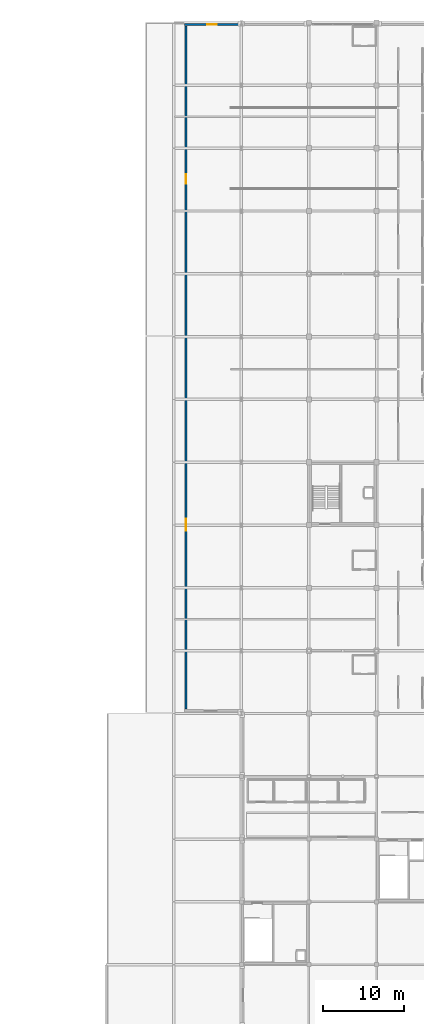
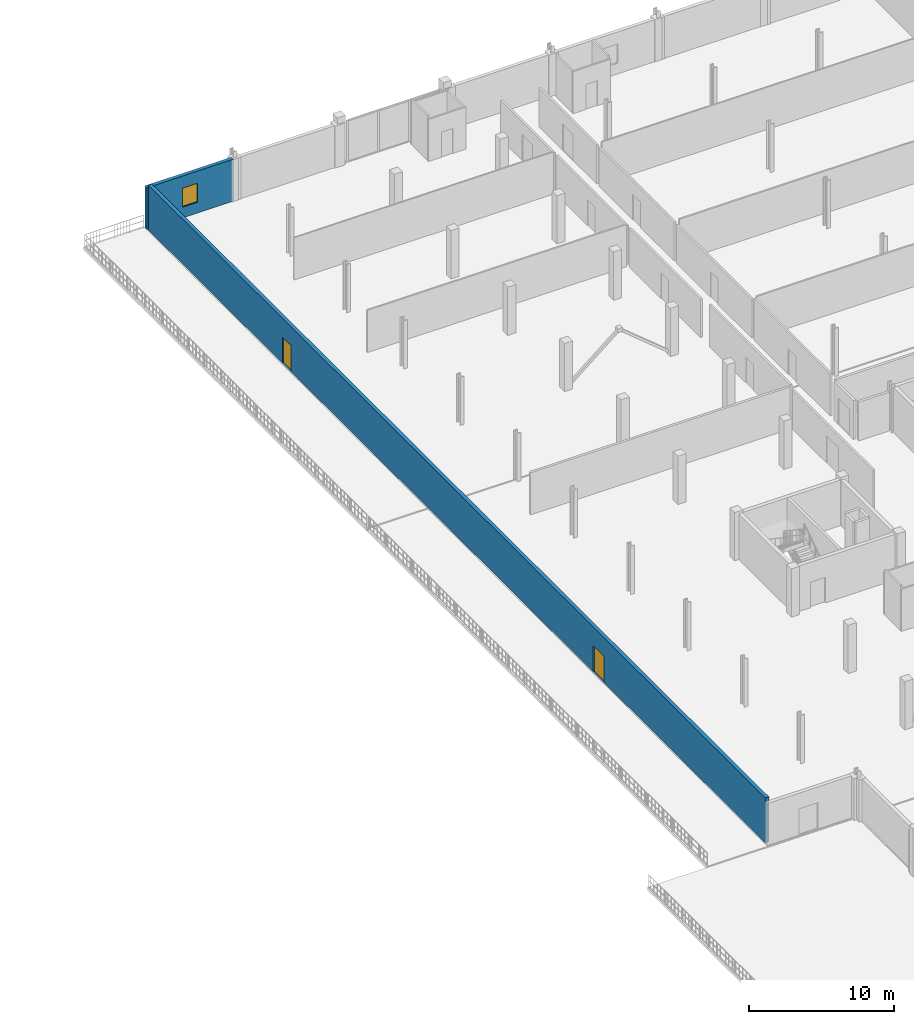
# One storey, part 27 of 41: 2 doors, 2 walls, 1 window, 3 openings.
"""IFC4 building model written with IfcOpenShell, lengths in metres."""

from ifc_helpers import new_model, si_unit, direction, frame, frame_2d, origin, place, context, subcontext, project, spatial, rectangle, extrude, material, layer, layer_set, type_object, element, fill, save


model = new_model("IFC4")

# Units and contexts
model_context = context("Model", 3, precision=1e-05, world=origin(), true_north=direction((0.0, 1.0)))
body_context = subcontext(model_context, "Body", "Model", "MODEL_VIEW")
ifc_project = project(units=[si_unit("LENGTHUNIT", "METRE"), si_unit("AREAUNIT", "SQUARE_METRE"), si_unit("VOLUMEUNIT", "CUBIC_METRE"), si_unit("PLANEANGLEUNIT", "RADIAN"), si_unit("MASSUNIT", "GRAM", prefix="KILO")], contexts=[model_context])

# Site, building, storey
site_placement = place(None, origin())
site = spatial("IfcSite", under=ifc_project, at=site_placement, CompositionType="ELEMENT")
building_placement = place(site_placement, origin())
building = spatial("IfcBuilding", under=site, at=building_placement, Name="Nabrawat Pavilion Hospital", CompositionType="ELEMENT")
storey_placement = place(building_placement, frame((0.0, 0.0, 18.89990234375)))
storey = spatial("IfcBuildingStorey", under=building, at=storey_placement, Name="L04", CompositionType="ELEMENT", Elevation=18.89990234375)

# Wall, openings, doors
ifc_material_1 = material(Name="Precast concrete C40/50", Category="concrete")
ifc_layer = layer(ifc_material_1, 0.280029296875, Name="Precast concrete C40/50")
ifc_layer_set = layer_set([ifc_layer], Name="Precast concrete C40/50")
wall_type = type_object("IfcWallType", Name="Insulated Precast Facade Wall 280", PredefinedType="SOLIDWALL", material=ifc_layer_set)
wall_1_placement = place(storey_placement, frame((135.93994140625, 39.56005859375, 0.0), z_axis=(0.0, 0.0, 1.0), x_axis=(0.0, 1.0, 0.0)))
wall_1 = element("IfcWall", 1, at=wall_1_placement, inside=storey, type_object=wall_type, Name="L04 Insulated Precast Facade Wall 280 351", PredefinedType="SOLIDWALL", context=body_context, shape_type="SweptSolid", body=[
    extrude(rectangle(XDim=84.800048828125, YDim=0.280029296875, at=frame_2d((42.39990234375, 0.0))), origin(), (0.0, 0.0, 1.0), 3.77001953125),
])
opening_1_placement = place(wall_1_placement, frame((22.14990234375, 0.0, 0.0)))
opening_1 = element("IfcOpeningElement", 2, at=opening_1_placement, cuts=wall_1, Name="Opening ED-TER-150", PredefinedType="OPENING", context=body_context, shape_type="SweptSolid", body=[
    extrude(rectangle(XDim=1.5, YDim=2.199951171875, at=frame_2d((0.75, 1.10009765625))), frame((0.0, 0.14990234375, 0.0), z_axis=(0.0, -1.0, 0.0), x_axis=(1.0, 0.0, 0.0)), (0.0, 0.0, 1.0), 0.300048828125),
])
opening_2_placement = place(wall_1_placement, frame((65.199951171875, 0.0, 0.0)))
opening_2 = element("IfcOpeningElement", 3, at=opening_2_placement, cuts=wall_1, Name="Opening ED-TER-120", PredefinedType="OPENING", context=body_context, shape_type="SweptSolid", body=[
    extrude(rectangle(XDim=1.199951171875, YDim=2.199951171875, at=frame_2d((0.60009765625, 1.10009765625))), frame((0.0, 0.14990234375, 0.0), z_axis=(0.0, -1.0, 0.0), x_axis=(1.0, 0.0, 0.0)), (0.0, 0.0, 1.0), 0.300048828125),
])
ifc_material_2 = material(Name="Powder-Coated Galvanised Steel and Safety Glass", Category="steel")
door_type_1 = type_object("IfcDoorType", Name="Clinical Recovery Terrace Double Door 1500x2200", OperationType="NOTDEFINED", PredefinedType="DOOR", material=ifc_material_2)
door_1_placement = place(opening_1_placement, origin())
door_1 = element("IfcDoor", 4, at=door_1_placement, inside=storey, type_object=door_type_1, Name="L04 Clinical Recovery Terrace Door T_L04_WARD_STEP2_S", OperationType="DOUBLE_DOOR_SINGLE_SWING", OverallHeight=2.199951171875, OverallWidth=1.5, PredefinedType="DOOR", context=body_context, shape_type="SweptSolid", body=[
    extrude(rectangle(XDim=1.5, YDim=2.199951171875, at=frame_2d((0.75, 1.10009765625))), frame((0.0, 0.02490234375, 0.0), z_axis=(0.0, -1.0, 0.0), x_axis=(1.0, 0.0, 0.0)), (0.0, 0.0, 1.0), 0.050048828125),
])
fill(opening_1, door_1)
door_type_2 = type_object("IfcDoorType", Name="Ward Balcony Single Glazed Door 1200x2200", OperationType="NOTDEFINED", PredefinedType="DOOR", material=ifc_material_2)
door_2_placement = place(opening_2_placement, origin())
door_2 = element("IfcDoor", 5, at=door_2_placement, inside=storey, type_object=door_type_2, Name="L04 Clinical Recovery Terrace Door T_L04_WARD_STEP2_N", OperationType="SINGLE_SWING_LEFT", OverallHeight=2.199951171875, OverallWidth=1.199951171875, PredefinedType="DOOR", context=body_context, shape_type="SweptSolid", body=[
    extrude(rectangle(XDim=1.199951171875, YDim=2.199951171875, at=frame_2d((0.60009765625, 1.10009765625))), frame((0.0, 0.02490234375, 0.0), z_axis=(0.0, -1.0, 0.0), x_axis=(1.0, 0.0, 0.0)), (0.0, 0.0, 1.0), 0.050048828125),
])
fill(opening_2, door_2)

# Wall, opening, window
wall_2_placement = place(storey_placement, frame((135.719970703125, 124.580078125, 0.0), z_axis=(0.0, 0.0, 1.0), x_axis=(1.0, 0.0, 0.0)))
wall_2 = element("IfcWall", 6, at=wall_2_placement, inside=storey, type_object=wall_type, Name="L04 Insulated Precast Facade Wall 280 353", PredefinedType="SOLIDWALL", context=body_context, shape_type="SweptSolid", body=[
    extrude(rectangle(XDim=6.880126953125, YDim=0.280029296875, at=frame_2d((3.43994140625, 0.0))), origin(), (0.0, 0.0, 1.0), 3.52001953125),
])
opening_3_placement = place(wall_2_placement, frame((2.840087890625, 0.0, 0.89990234375)))
opening_3 = element("IfcOpeningElement", 7, at=opening_3_placement, cuts=wall_2, Name="Opening WN-01", PredefinedType="OPENING", context=body_context, shape_type="SweptSolid", body=[
    extrude(rectangle(XDim=1.199951171875, YDim=1.60009765625, at=frame_2d((0.60009765625, 0.800048828125))), frame((0.0, 0.14990234375, 0.0), z_axis=(0.0, -1.0, 0.0), x_axis=(1.0, 0.0, 0.0)), (0.0, 0.0, 1.0), 0.300048828125),
])
ifc_material_3 = material(Name="Thermally Broken Aluminium and Solar Glass", Category="aluminium")
window_type = type_object("IfcWindowType", Name="Deep-Reveal Ward Punched Window 1200x1600", PartitioningType="SINGLE_PANEL", PredefinedType="WINDOW", material=ifc_material_3)
window_placement = place(opening_3_placement, origin())
window = element("IfcWindow", 8, at=window_placement, inside=storey, type_object=window_type, Name="L04 Deep-Reveal Ward Punched Window 1200x1600 129", OverallHeight=1.60009765625, OverallWidth=1.199951171875, PartitioningType="SINGLE_PANEL", PredefinedType="WINDOW", context=body_context, shape_type="SweptSolid", body=[
    extrude(rectangle(XDim=1.199951171875, YDim=1.60009765625, at=frame_2d((0.60009765625, 0.800048828125))), frame((0.0, 0.030029296875, 0.0), z_axis=(0.0, -1.0, 0.0), x_axis=(1.0, 0.0, 0.0)), (0.0, 0.0, 1.0), 0.06005859375),
])
fill(opening_3, window)

save(model, "model.ifc")
